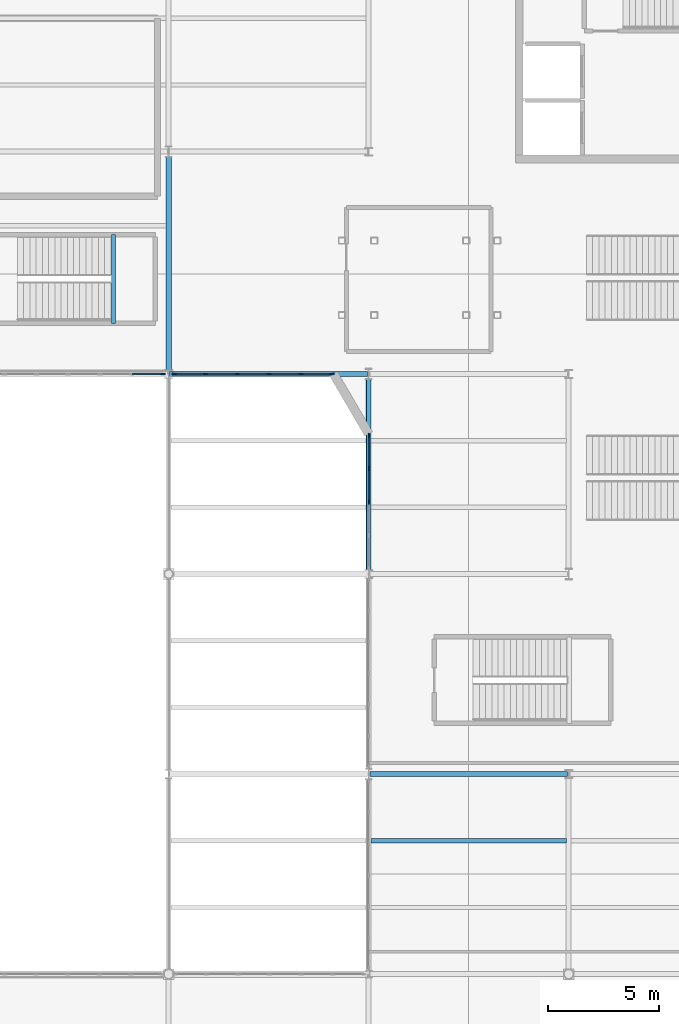
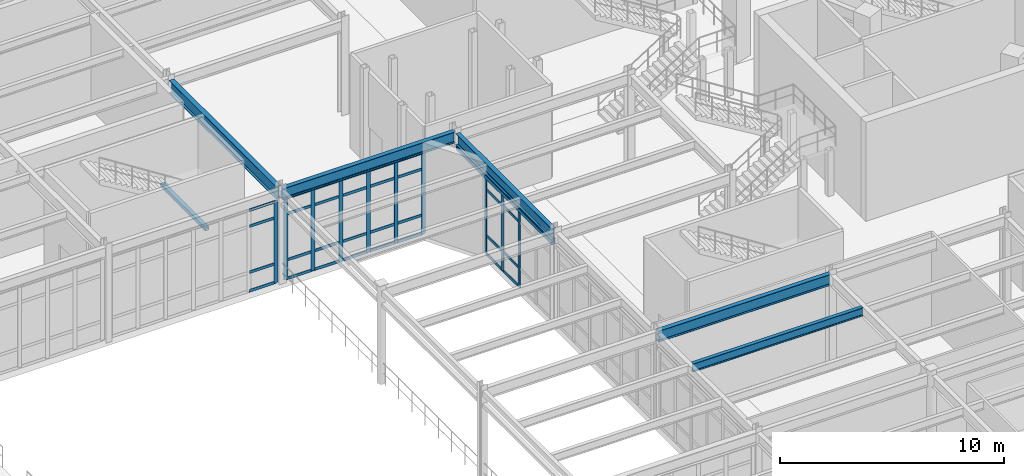
# One storey, part 30 of 79: 42 members, 7 beams, 3 elements without a shape of their own.
"""IFC4 building model written with IfcOpenShell, lengths in metres."""

from ifc_helpers import new_model, si_unit, direction, frame, origin, origin_2d, place, context, subcontext, project, spatial, rectangle, hollow_rectangle, i_section, extrude, material, material_profile, profile_set, type_object, element, aggregate, save


model = new_model("IFC4")

# Units and contexts
model_context = context("Model", 3, precision=1e-05, world=origin(), true_north=direction((0.0, 1.0)))
body_context = subcontext(model_context, "Body", "Model", "MODEL_VIEW")
ifc_project = project(units=[si_unit("LENGTHUNIT", "METRE"), si_unit("AREAUNIT", "SQUARE_METRE"), si_unit("VOLUMEUNIT", "CUBIC_METRE"), si_unit("PLANEANGLEUNIT", "RADIAN"), si_unit("MASSUNIT", "GRAM", prefix="KILO")], contexts=[model_context])

# Site, building, storey
site_placement = place(None, origin())
site = spatial("IfcSite", under=ifc_project, at=site_placement, CompositionType="ELEMENT")
building_placement = place(site_placement, origin())
building = spatial("IfcBuilding", under=site, at=building_placement, Name="Glasvene Arena", CompositionType="ELEMENT")
storey_placement = place(building_placement, origin())
storey = spatial("IfcBuildingStorey", under=building, at=storey_placement, Name="L00", CompositionType="ELEMENT", Elevation=0.0)

# Beams
ifc_material_1 = material(Name="Steel S355J2", Category="steel")
ifc_material_profile_1 = material_profile(ifc_material_1, i_section(OverallWidth=0.228271484375, OverallDepth=0.607666015625, WebThickness=0.010986328125, FlangeThickness=0.017333984375, FilletRadius=0.0126953125, at=origin_2d()), Name="UKB 610x229x113")
ifc_profile_set_1 = profile_set([ifc_material_profile_1], Name="Steel S355J2")
beam_type_1 = type_object("IfcBeamType", Name="BM-GIRD-610", PredefinedType="BEAM", material=ifc_profile_set_1)
for number, where, z_axis, x_axis, name in (
    (1, (27.050048828125, 36.0, 4.816162109375), (1.0, 0.0, 0.0), (0.0, 1.0, 0.0), "Primary X girder L00-0303"),
    (2, (18.050048828125, 54.0, 4.816162109375), (1.0, 0.0, 0.0), (0.0, 1.0, 0.0), "Primary X girder L00-0309"),
):
    element("IfcBeam", number, at=place(storey_placement, frame(where, z_axis=z_axis, x_axis=x_axis)), inside=storey, type_object=beam_type_1, Name=name, PredefinedType="BEAM", context=body_context, shape_type="SweptSolid", body=[
        extrude(i_section(OverallWidth=0.228271484375, OverallDepth=0.607666015625, WebThickness=0.010986328125, FlangeThickness=0.017333984375, FilletRadius=0.0126953125, at=origin_2d()), origin(), (0.0, 0.0, 1.0), 8.89990234375),
    ])
beam_1_placement = place(storey_placement, frame((27.0, 45.17919921875, 4.816162109375), z_axis=(0.0, 1.0, 0.0), x_axis=(-1.0, 0.0, 0.0)))
element("IfcBeam", 3, at=beam_1_placement, inside=storey, type_object=beam_type_1, Name="Primary Y girder L00-0380", PredefinedType="BEAM", context=body_context, shape_type="SweptSolid", body=[
    extrude(i_section(OverallWidth=0.228271484375, OverallDepth=0.607666015625, WebThickness=0.010986328125, FlangeThickness=0.017333984375, FilletRadius=0.0126953125, at=origin_2d()), origin(), (0.0, 0.0, 1.0), 8.57568359375),
])
ifc_material_profile_2 = material_profile(ifc_material_1, i_section(OverallWidth=0.253662109375, OverallDepth=0.68359375, WebThickness=0.012451171875, FlangeThickness=0.01904296875, FilletRadius=0.01513671875, at=origin_2d()), Name="UKB 686x254x140")
ifc_profile_set_2 = profile_set([ifc_material_profile_2], Name="Steel S355J2")
beam_type_2 = type_object("IfcBeamType", Name="BM-GIRD-686", PredefinedType="BEAM", material=ifc_profile_set_2)
beam_2_placement = place(storey_placement, frame((18.0, 54.17919921875, 4.7783203125), z_axis=(0.0, 1.0, 0.0), x_axis=(-1.0, 0.0, 0.0)))
element("IfcBeam", 4, at=beam_2_placement, inside=storey, type_object=beam_type_2, Name="Primary Y girder L00-0373", PredefinedType="BEAM", context=body_context, shape_type="SweptSolid", body=[
    extrude(i_section(OverallWidth=0.253662109375, OverallDepth=0.68359375, WebThickness=0.012451171875, FlangeThickness=0.01904296875, FilletRadius=0.01513671875, at=origin_2d()), origin(), (0.0, 0.0, 1.0), 9.57568359375),
])
ifc_material_profile_3 = material_profile(ifc_material_1, i_section(OverallWidth=0.1904296875, OverallDepth=0.45703125, WebThickness=0.009033203125, FlangeThickness=0.014404296875, FilletRadius=0.01025390625, at=origin_2d()), Name="UKB 457x191x74")
ifc_profile_set_3 = profile_set([ifc_material_profile_3], Name="Steel S355J2")
beam_type_3 = type_object("IfcBeamType", Name="BM-JOIST-457", PredefinedType="JOIST", material=ifc_profile_set_3)
beam_3_placement = place(storey_placement, frame((27.110107421875, 33.0, 4.8916015625), z_axis=(1.0, 0.0, 0.0), x_axis=(0.0, 1.0, 0.0)))
element("IfcBeam", 5, at=beam_3_placement, inside=storey, type_object=beam_type_3, Name="Composite floor joist L00-0463", PredefinedType="JOIST", context=body_context, shape_type="SweptSolid", body=[
    extrude(i_section(OverallWidth=0.1904296875, OverallDepth=0.45703125, WebThickness=0.009033203125, FlangeThickness=0.014404296875, FilletRadius=0.01025390625, at=origin_2d()), origin(), (0.0, 0.0, 1.0), 8.77978515625),
])
ifc_material_profile_4 = material_profile(ifc_material_1, hollow_rectangle(XDim=0.199951171875, YDim=0.199951171875, WallThickness=0.010009765625, at=origin_2d()), Name="SHS 200x200x10.0")
ifc_profile_set_4 = profile_set([ifc_material_profile_4], Name="Steel S355J2")
beam_type_4 = type_object("IfcBeamType", Name="BM-LINTEL-200", PredefinedType="LINTEL", material=ifc_profile_set_4)
beam_4_placement = place(storey_placement, frame((27.0, 45.18017578125, 4.340087890625), z_axis=(0.0, 1.0, 0.0), x_axis=(-1.0, 0.0, 0.0)))
element("IfcBeam", 6, at=beam_4_placement, inside=storey, type_object=beam_type_4, Name="Passage portal lintel L00-3-5", PredefinedType="LINTEL", context=body_context, shape_type="SweptSolid", body=[
    extrude(hollow_rectangle(XDim=0.199951171875, YDim=0.199951171875, WallThickness=0.010009765625, at=origin_2d()), origin(), (0.0, 0.0, 1.0), 8.57373046875),
])
beam_5_placement = place(storey_placement, frame((15.52001953125, 56.280029296875, 2.3798828125), z_axis=(0.0, 1.0, 0.0), x_axis=(-1.0, 0.0, 0.0)))
element("IfcBeam", 7, at=beam_5_placement, inside=storey, type_object=beam_type_4, Name="Stair half-landing support beam ST-13-L00", PredefinedType="LINTEL", context=body_context, shape_type="SweptSolid", body=[
    extrude(hollow_rectangle(XDim=0.199951171875, YDim=0.199951171875, WallThickness=0.010009765625, at=origin_2d()), origin(), (0.0, 0.0, 1.0), 3.989990234375),
])

# Curtain wall, members
ifc_material_2 = material(Name="Low-emissivity laminated double glazing", Category="glass")
curtain_wall_type_1 = type_object("IfcCurtainWallType", Name="CW-FAC-L00-715x445", PredefinedType="USERDEFINED", material=ifc_material_2)
curtain_wall_1_placement = place(storey_placement, frame((25.379638671875, 54.0, 0.0)))
curtain_wall_1 = element("IfcCurtainWall", 8, at=curtain_wall_1_placement, inside=storey, type_object=curtain_wall_type_1, Name="Unitised curtain wall CW-F-L00-180-218-540-1", ObjectType="CURTAIN WALL", PredefinedType="USERDEFINED")
ifc_material_3 = material(Name="Anodised architectural aluminium", Category="aluminium")
ifc_material_profile_5 = material_profile(ifc_material_3, rectangle(XDim=0.050048828125, YDim=0.199951171875, at=origin_2d()), Name="ALU MULLION 50x200")
ifc_profile_set_5 = profile_set([ifc_material_profile_5], Name="Anodised architectural aluminium")
member_type_1 = type_object("IfcMemberType", Name="CW-MUL-180", PredefinedType="MULLION", material=ifc_profile_set_5)
member_1_placement = place(storey_placement, frame((25.3544921875, 54.0, 0.06005859375), z_axis=(0.0, 0.0, 1.0), x_axis=(0.0, -1.0, 0.0)))
member_1 = element("IfcMember", 9, at=member_1_placement, type_object=member_type_1, Name="CW-001 mullion 1", PredefinedType="MULLION", context=body_context, shape_type="SweptSolid", body=[
    extrude(rectangle(XDim=0.050048828125, YDim=0.199951171875, at=origin_2d()), origin(), (0.0, 0.0, 1.0), 4.447021484375),
])
member_2_placement = place(storey_placement, frame((23.94921875, 54.0, 0.06005859375), z_axis=(0.0, 0.0, 1.0), x_axis=(0.0, -1.0, 0.0)))
member_2 = element("IfcMember", 10, at=member_2_placement, type_object=member_type_1, Name="CW-001 mullion 2", PredefinedType="MULLION", context=body_context, shape_type="SweptSolid", body=[
    extrude(rectangle(XDim=0.050048828125, YDim=0.199951171875, at=origin_2d()), origin(), (0.0, 0.0, 1.0), 4.447021484375),
])
member_3_placement = place(storey_placement, frame((22.51904296875, 54.0, 0.06005859375), z_axis=(0.0, 0.0, 1.0), x_axis=(0.0, -1.0, 0.0)))
member_3 = element("IfcMember", 11, at=member_3_placement, type_object=member_type_1, Name="CW-001 mullion 3", PredefinedType="MULLION", context=body_context, shape_type="SweptSolid", body=[
    extrude(rectangle(XDim=0.050048828125, YDim=0.199951171875, at=origin_2d()), origin(), (0.0, 0.0, 1.0), 4.447021484375),
])
member_4_placement = place(storey_placement, frame((21.0888671875, 54.0, 0.06005859375), z_axis=(0.0, 0.0, 1.0), x_axis=(0.0, -1.0, 0.0)))
member_4 = element("IfcMember", 12, at=member_4_placement, type_object=member_type_1, Name="CW-001 mullion 4", PredefinedType="MULLION", context=body_context, shape_type="SweptSolid", body=[
    extrude(rectangle(XDim=0.050048828125, YDim=0.199951171875, at=origin_2d()), origin(), (0.0, 0.0, 1.0), 4.447021484375),
])
member_5_placement = place(storey_placement, frame((19.658447265625, 54.0, 0.06005859375), z_axis=(0.0, 0.0, 1.0), x_axis=(0.0, -1.0, 0.0)))
member_5 = element("IfcMember", 13, at=member_5_placement, type_object=member_type_1, Name="CW-001 mullion 5", PredefinedType="MULLION", context=body_context, shape_type="SweptSolid", body=[
    extrude(rectangle(XDim=0.050048828125, YDim=0.199951171875, at=origin_2d()), origin(), (0.0, 0.0, 1.0), 4.447021484375),
])
member_6_placement = place(storey_placement, frame((18.25341796875, 54.0, 0.06005859375), z_axis=(0.0, 0.0, 1.0), x_axis=(0.0, -1.0, 0.0)))
member_6 = element("IfcMember", 14, at=member_6_placement, type_object=member_type_1, Name="CW-001 mullion 6", PredefinedType="MULLION", context=body_context, shape_type="SweptSolid", body=[
    extrude(rectangle(XDim=0.050048828125, YDim=0.199951171875, at=origin_2d()), origin(), (0.0, 0.0, 1.0), 4.447021484375),
])

# Curtain wall, member
curtain_wall_type_2 = type_object("IfcCurtainWallType", Name="CW-FAC-L00-858x445", PredefinedType="USERDEFINED", material=ifc_material_2)
curtain_wall_2_placement = place(storey_placement, frame((17.771728515625, 54.0, 0.0)))
curtain_wall_2 = element("IfcCurtainWall", 15, at=curtain_wall_2_placement, inside=storey, type_object=curtain_wall_type_2, Name="Unitised curtain wall CW-F-L00-180-135-540-2", ObjectType="CURTAIN WALL", PredefinedType="USERDEFINED")
member_7_placement = place(storey_placement, frame((17.74658203125, 54.0, 0.06005859375), z_axis=(0.0, 0.0, 1.0), x_axis=(0.0, -1.0, 0.0)))
member_7 = element("IfcMember", 16, at=member_7_placement, type_object=member_type_1, Name="CW-002 mullion 1", PredefinedType="MULLION", context=body_context, shape_type="SweptSolid", body=[
    extrude(rectangle(XDim=0.050048828125, YDim=0.199951171875, at=origin_2d()), origin(), (0.0, 0.0, 1.0), 4.447021484375),
])

# Curtain wall, members
curtain_wall_type_3 = type_object("IfcCurtainWallType", Name="CW-FAC-L00-603x445", PredefinedType="USERDEFINED", material=ifc_material_2)
curtain_wall_3_placement = place(storey_placement, frame((27.0, 45.22607421875, 0.0)))
curtain_wall_3 = element("IfcCurtainWall", 17, at=curtain_wall_3_placement, inside=storey, type_object=curtain_wall_type_3, Name="Unitised curtain wall CW-F-L00-180-270-482-83", ObjectType="CURTAIN WALL", PredefinedType="USERDEFINED")
member_8_placement = place(storey_placement, frame((27.0, 48.242919921875, 0.06005859375), z_axis=(0.0, 0.0, 1.0), x_axis=(-1.0, 0.0, 0.0)))
member_8 = element("IfcMember", 18, at=member_8_placement, type_object=member_type_1, Name="CW-006 mullion 3", PredefinedType="MULLION", context=body_context, shape_type="SweptSolid", body=[
    extrude(rectangle(XDim=0.050048828125, YDim=0.199951171875, at=origin_2d()), origin(), (0.0, 0.0, 1.0), 4.447021484375),
])
member_9_placement = place(storey_placement, frame((27.0, 49.751220703125, 0.06005859375), z_axis=(0.0, 0.0, 1.0), x_axis=(-1.0, 0.0, 0.0)))
member_9 = element("IfcMember", 19, at=member_9_placement, type_object=member_type_1, Name="CW-006 mullion 4", PredefinedType="MULLION", context=body_context, shape_type="SweptSolid", body=[
    extrude(rectangle(XDim=0.050048828125, YDim=0.199951171875, at=origin_2d()), origin(), (0.0, 0.0, 1.0), 4.447021484375),
])
member_10_placement = place(storey_placement, frame((27.0, 51.234619140625, 0.06005859375), z_axis=(0.0, 0.0, 1.0), x_axis=(-1.0, 0.0, 0.0)))
member_10 = element("IfcMember", 20, at=member_10_placement, type_object=member_type_1, Name="CW-006 mullion 5", PredefinedType="MULLION", context=body_context, shape_type="SweptSolid", body=[
    extrude(rectangle(XDim=0.050048828125, YDim=0.199951171875, at=origin_2d()), origin(), (0.0, 0.0, 1.0), 4.447021484375),
])

# Member
ifc_material_profile_6 = material_profile(ifc_material_3, rectangle(XDim=0.050048828125, YDim=0.14990234375, at=origin_2d()), Name="ALU TRANSOM 50x150")
ifc_profile_set_6 = profile_set([ifc_material_profile_6], Name="Anodised architectural aluminium")
member_type_2 = type_object("IfcMemberType", Name="CW-TRN-150", PredefinedType="USERDEFINED", material=ifc_profile_set_6)
member_11_placement = place(storey_placement, frame((25.32958984375, 54.0, 0.0849609375), z_axis=(-1.0, 0.0, 0.0), x_axis=(0.0, -1.0, 0.0)))
member_11 = element("IfcMember", 21, at=member_11_placement, type_object=member_type_2, Name="CW-001 transom 1.1", ObjectType="TRANSOM", PredefinedType="USERDEFINED", context=body_context, shape_type="SweptSolid", body=[
    extrude(rectangle(XDim=0.050048828125, YDim=0.14990234375, at=origin_2d()), origin(), (0.0, 0.0, 1.0), 1.355224609375),
])

member_12_placement = place(storey_placement, frame((25.32958984375, 54.0, 1.10009765625), z_axis=(-1.0, 0.0, 0.0), x_axis=(0.0, -1.0, 0.0)))
member_12 = element("IfcMember", 22, at=member_12_placement, type_object=member_type_2, Name="CW-001 transom 1.2", ObjectType="TRANSOM", PredefinedType="USERDEFINED", context=body_context, shape_type="SweptSolid", body=[
    extrude(rectangle(XDim=0.050048828125, YDim=0.14990234375, at=origin_2d()), origin(), (0.0, 0.0, 1.0), 1.355224609375),
])

member_13_placement = place(storey_placement, frame((25.32958984375, 54.0, 3.60693359375), z_axis=(-1.0, 0.0, 0.0), x_axis=(0.0, -1.0, 0.0)))
member_13 = element("IfcMember", 23, at=member_13_placement, type_object=member_type_2, Name="CW-001 transom 1.3", ObjectType="TRANSOM", PredefinedType="USERDEFINED", context=body_context, shape_type="SweptSolid", body=[
    extrude(rectangle(XDim=0.050048828125, YDim=0.14990234375, at=origin_2d()), origin(), (0.0, 0.0, 1.0), 1.355224609375),
])

member_14_placement = place(storey_placement, frame((25.32958984375, 54.0, 4.48193359375), z_axis=(-1.0, 0.0, 0.0), x_axis=(0.0, -1.0, 0.0)))
member_14 = element("IfcMember", 24, at=member_14_placement, type_object=member_type_2, Name="CW-001 transom 1.4", ObjectType="TRANSOM", PredefinedType="USERDEFINED", context=body_context, shape_type="SweptSolid", body=[
    extrude(rectangle(XDim=0.050048828125, YDim=0.14990234375, at=origin_2d()), origin(), (0.0, 0.0, 1.0), 1.355224609375),
])

member_15_placement = place(storey_placement, frame((23.92431640625, 54.0, 0.0849609375), z_axis=(-1.0, 0.0, 0.0), x_axis=(0.0, -1.0, 0.0)))
member_15 = element("IfcMember", 25, at=member_15_placement, type_object=member_type_2, Name="CW-001 transom 2.1", ObjectType="TRANSOM", PredefinedType="USERDEFINED", context=body_context, shape_type="SweptSolid", body=[
    extrude(rectangle(XDim=0.050048828125, YDim=0.14990234375, at=origin_2d()), origin(), (0.0, 0.0, 1.0), 1.380126953125),
])

member_16_placement = place(storey_placement, frame((23.92431640625, 54.0, 1.10009765625), z_axis=(-1.0, 0.0, 0.0), x_axis=(0.0, -1.0, 0.0)))
member_16 = element("IfcMember", 26, at=member_16_placement, type_object=member_type_2, Name="CW-001 transom 2.2", ObjectType="TRANSOM", PredefinedType="USERDEFINED", context=body_context, shape_type="SweptSolid", body=[
    extrude(rectangle(XDim=0.050048828125, YDim=0.14990234375, at=origin_2d()), origin(), (0.0, 0.0, 1.0), 1.380126953125),
])

member_17_placement = place(storey_placement, frame((23.92431640625, 54.0, 3.60693359375), z_axis=(-1.0, 0.0, 0.0), x_axis=(0.0, -1.0, 0.0)))
member_17 = element("IfcMember", 27, at=member_17_placement, type_object=member_type_2, Name="CW-001 transom 2.3", ObjectType="TRANSOM", PredefinedType="USERDEFINED", context=body_context, shape_type="SweptSolid", body=[
    extrude(rectangle(XDim=0.050048828125, YDim=0.14990234375, at=origin_2d()), origin(), (0.0, 0.0, 1.0), 1.380126953125),
])

member_18_placement = place(storey_placement, frame((23.92431640625, 54.0, 4.48193359375), z_axis=(-1.0, 0.0, 0.0), x_axis=(0.0, -1.0, 0.0)))
member_18 = element("IfcMember", 28, at=member_18_placement, type_object=member_type_2, Name="CW-001 transom 2.4", ObjectType="TRANSOM", PredefinedType="USERDEFINED", context=body_context, shape_type="SweptSolid", body=[
    extrude(rectangle(XDim=0.050048828125, YDim=0.14990234375, at=origin_2d()), origin(), (0.0, 0.0, 1.0), 1.380126953125),
])

member_19_placement = place(storey_placement, frame((22.494140625, 54.0, 0.0849609375), z_axis=(-1.0, 0.0, 0.0), x_axis=(0.0, -1.0, 0.0)))
member_19 = element("IfcMember", 29, at=member_19_placement, type_object=member_type_2, Name="CW-001 transom 3.1", ObjectType="TRANSOM", PredefinedType="USERDEFINED", context=body_context, shape_type="SweptSolid", body=[
    extrude(rectangle(XDim=0.050048828125, YDim=0.14990234375, at=origin_2d()), origin(), (0.0, 0.0, 1.0), 1.38037109375),
])

member_20_placement = place(storey_placement, frame((22.494140625, 54.0, 1.10009765625), z_axis=(-1.0, 0.0, 0.0), x_axis=(0.0, -1.0, 0.0)))
member_20 = element("IfcMember", 30, at=member_20_placement, type_object=member_type_2, Name="CW-001 transom 3.2", ObjectType="TRANSOM", PredefinedType="USERDEFINED", context=body_context, shape_type="SweptSolid", body=[
    extrude(rectangle(XDim=0.050048828125, YDim=0.14990234375, at=origin_2d()), origin(), (0.0, 0.0, 1.0), 1.38037109375),
])

member_21_placement = place(storey_placement, frame((22.494140625, 54.0, 3.60693359375), z_axis=(-1.0, 0.0, 0.0), x_axis=(0.0, -1.0, 0.0)))
member_21 = element("IfcMember", 31, at=member_21_placement, type_object=member_type_2, Name="CW-001 transom 3.3", ObjectType="TRANSOM", PredefinedType="USERDEFINED", context=body_context, shape_type="SweptSolid", body=[
    extrude(rectangle(XDim=0.050048828125, YDim=0.14990234375, at=origin_2d()), origin(), (0.0, 0.0, 1.0), 1.38037109375),
])

member_22_placement = place(storey_placement, frame((22.494140625, 54.0, 4.48193359375), z_axis=(-1.0, 0.0, 0.0), x_axis=(0.0, -1.0, 0.0)))
member_22 = element("IfcMember", 32, at=member_22_placement, type_object=member_type_2, Name="CW-001 transom 3.4", ObjectType="TRANSOM", PredefinedType="USERDEFINED", context=body_context, shape_type="SweptSolid", body=[
    extrude(rectangle(XDim=0.050048828125, YDim=0.14990234375, at=origin_2d()), origin(), (0.0, 0.0, 1.0), 1.38037109375),
])

member_23_placement = place(storey_placement, frame((21.063720703125, 54.0, 0.0849609375), z_axis=(-1.0, 0.0, 0.0), x_axis=(0.0, -1.0, 0.0)))
member_23 = element("IfcMember", 33, at=member_23_placement, type_object=member_type_2, Name="CW-001 transom 4.1", ObjectType="TRANSOM", PredefinedType="USERDEFINED", context=body_context, shape_type="SweptSolid", body=[
    extrude(rectangle(XDim=0.050048828125, YDim=0.14990234375, at=origin_2d()), origin(), (0.0, 0.0, 1.0), 1.380126953125),
])

member_24_placement = place(storey_placement, frame((21.063720703125, 54.0, 1.10009765625), z_axis=(-1.0, 0.0, 0.0), x_axis=(0.0, -1.0, 0.0)))
member_24 = element("IfcMember", 34, at=member_24_placement, type_object=member_type_2, Name="CW-001 transom 4.2", ObjectType="TRANSOM", PredefinedType="USERDEFINED", context=body_context, shape_type="SweptSolid", body=[
    extrude(rectangle(XDim=0.050048828125, YDim=0.14990234375, at=origin_2d()), origin(), (0.0, 0.0, 1.0), 1.380126953125),
])

member_25_placement = place(storey_placement, frame((21.063720703125, 54.0, 3.60693359375), z_axis=(-1.0, 0.0, 0.0), x_axis=(0.0, -1.0, 0.0)))
member_25 = element("IfcMember", 35, at=member_25_placement, type_object=member_type_2, Name="CW-001 transom 4.3", ObjectType="TRANSOM", PredefinedType="USERDEFINED", context=body_context, shape_type="SweptSolid", body=[
    extrude(rectangle(XDim=0.050048828125, YDim=0.14990234375, at=origin_2d()), origin(), (0.0, 0.0, 1.0), 1.380126953125),
])

member_26_placement = place(storey_placement, frame((21.063720703125, 54.0, 4.48193359375), z_axis=(-1.0, 0.0, 0.0), x_axis=(0.0, -1.0, 0.0)))
member_26 = element("IfcMember", 36, at=member_26_placement, type_object=member_type_2, Name="CW-001 transom 4.4", ObjectType="TRANSOM", PredefinedType="USERDEFINED", context=body_context, shape_type="SweptSolid", body=[
    extrude(rectangle(XDim=0.050048828125, YDim=0.14990234375, at=origin_2d()), origin(), (0.0, 0.0, 1.0), 1.380126953125),
])

member_27_placement = place(storey_placement, frame((19.633544921875, 54.0, 0.0849609375), z_axis=(-1.0, 0.0, 0.0), x_axis=(0.0, -1.0, 0.0)))
member_27 = element("IfcMember", 37, at=member_27_placement, type_object=member_type_2, Name="CW-001 transom 5.1", ObjectType="TRANSOM", PredefinedType="USERDEFINED", context=body_context, shape_type="SweptSolid", body=[
    extrude(rectangle(XDim=0.050048828125, YDim=0.14990234375, at=origin_2d()), origin(), (0.0, 0.0, 1.0), 1.355224609375),
])

member_28_placement = place(storey_placement, frame((19.633544921875, 54.0, 1.10009765625), z_axis=(-1.0, 0.0, 0.0), x_axis=(0.0, -1.0, 0.0)))
member_28 = element("IfcMember", 38, at=member_28_placement, type_object=member_type_2, Name="CW-001 transom 5.2", ObjectType="TRANSOM", PredefinedType="USERDEFINED", context=body_context, shape_type="SweptSolid", body=[
    extrude(rectangle(XDim=0.050048828125, YDim=0.14990234375, at=origin_2d()), origin(), (0.0, 0.0, 1.0), 1.355224609375),
])

member_29_placement = place(storey_placement, frame((19.633544921875, 54.0, 3.60693359375), z_axis=(-1.0, 0.0, 0.0), x_axis=(0.0, -1.0, 0.0)))
member_29 = element("IfcMember", 39, at=member_29_placement, type_object=member_type_2, Name="CW-001 transom 5.3", ObjectType="TRANSOM", PredefinedType="USERDEFINED", context=body_context, shape_type="SweptSolid", body=[
    extrude(rectangle(XDim=0.050048828125, YDim=0.14990234375, at=origin_2d()), origin(), (0.0, 0.0, 1.0), 1.355224609375),
])

member_30_placement = place(storey_placement, frame((19.633544921875, 54.0, 4.48193359375), z_axis=(-1.0, 0.0, 0.0), x_axis=(0.0, -1.0, 0.0)))
member_30 = element("IfcMember", 40, at=member_30_placement, type_object=member_type_2, Name="CW-001 transom 5.4", ObjectType="TRANSOM", PredefinedType="USERDEFINED", context=body_context, shape_type="SweptSolid", body=[
    extrude(rectangle(XDim=0.050048828125, YDim=0.14990234375, at=origin_2d()), origin(), (0.0, 0.0, 1.0), 1.355224609375),
])

aggregate(curtain_wall_1, [member_1, member_2, member_3, member_4, member_5, member_6, member_11, member_12, member_13, member_14, member_15, member_16, member_17, member_18, member_19, member_20, member_21, member_22, member_23, member_24, member_25, member_26, member_27, member_28, member_29, member_30])

member_31_placement = place(storey_placement, frame((17.7216796875, 54.0, 0.0849609375), z_axis=(-1.0, 0.0, 0.0), x_axis=(0.0, -1.0, 0.0)))
member_31 = element("IfcMember", 41, at=member_31_placement, type_object=member_type_2, Name="CW-002 transom 1.1", ObjectType="TRANSOM", PredefinedType="USERDEFINED", context=body_context, shape_type="SweptSolid", body=[
    extrude(rectangle(XDim=0.050048828125, YDim=0.14990234375, at=origin_2d()), origin(), (0.0, 0.0, 1.0), 1.35498046875),
])

member_32_placement = place(storey_placement, frame((17.7216796875, 54.0, 1.10009765625), z_axis=(-1.0, 0.0, 0.0), x_axis=(0.0, -1.0, 0.0)))
member_32 = element("IfcMember", 42, at=member_32_placement, type_object=member_type_2, Name="CW-002 transom 1.2", ObjectType="TRANSOM", PredefinedType="USERDEFINED", context=body_context, shape_type="SweptSolid", body=[
    extrude(rectangle(XDim=0.050048828125, YDim=0.14990234375, at=origin_2d()), origin(), (0.0, 0.0, 1.0), 1.35498046875),
])

member_33_placement = place(storey_placement, frame((17.7216796875, 54.0, 3.60693359375), z_axis=(-1.0, 0.0, 0.0), x_axis=(0.0, -1.0, 0.0)))
member_33 = element("IfcMember", 43, at=member_33_placement, type_object=member_type_2, Name="CW-002 transom 1.3", ObjectType="TRANSOM", PredefinedType="USERDEFINED", context=body_context, shape_type="SweptSolid", body=[
    extrude(rectangle(XDim=0.050048828125, YDim=0.14990234375, at=origin_2d()), origin(), (0.0, 0.0, 1.0), 1.35498046875),
])

member_34_placement = place(storey_placement, frame((17.7216796875, 54.0, 4.48193359375), z_axis=(-1.0, 0.0, 0.0), x_axis=(0.0, -1.0, 0.0)))
member_34 = element("IfcMember", 44, at=member_34_placement, type_object=member_type_2, Name="CW-002 transom 1.4", ObjectType="TRANSOM", PredefinedType="USERDEFINED", context=body_context, shape_type="SweptSolid", body=[
    extrude(rectangle(XDim=0.050048828125, YDim=0.14990234375, at=origin_2d()), origin(), (0.0, 0.0, 1.0), 1.35498046875),
])

aggregate(curtain_wall_2, [member_7, member_31, member_32, member_33, member_34])

member_35_placement = place(storey_placement, frame((27.0, 48.267822265625, 0.0849609375), z_axis=(0.0, 1.0, 0.0), x_axis=(-1.0, 0.0, 0.0)))
member_35 = element("IfcMember", 45, at=member_35_placement, type_object=member_type_2, Name="CW-006 transom 3.1", ObjectType="TRANSOM", PredefinedType="USERDEFINED", context=body_context, shape_type="SweptSolid", body=[
    extrude(rectangle(XDim=0.050048828125, YDim=0.14990234375, at=origin_2d()), origin(), (0.0, 0.0, 1.0), 1.45849609375),
])

member_36_placement = place(storey_placement, frame((27.0, 48.267822265625, 1.10009765625), z_axis=(0.0, 1.0, 0.0), x_axis=(-1.0, 0.0, 0.0)))
member_36 = element("IfcMember", 46, at=member_36_placement, type_object=member_type_2, Name="CW-006 transom 3.2", ObjectType="TRANSOM", PredefinedType="USERDEFINED", context=body_context, shape_type="SweptSolid", body=[
    extrude(rectangle(XDim=0.050048828125, YDim=0.14990234375, at=origin_2d()), origin(), (0.0, 0.0, 1.0), 1.45849609375),
])

member_37_placement = place(storey_placement, frame((27.0, 48.267822265625, 3.60693359375), z_axis=(0.0, 1.0, 0.0), x_axis=(-1.0, 0.0, 0.0)))
member_37 = element("IfcMember", 47, at=member_37_placement, type_object=member_type_2, Name="CW-006 transom 3.3", ObjectType="TRANSOM", PredefinedType="USERDEFINED", context=body_context, shape_type="SweptSolid", body=[
    extrude(rectangle(XDim=0.050048828125, YDim=0.14990234375, at=origin_2d()), origin(), (0.0, 0.0, 1.0), 1.45849609375),
])

member_38_placement = place(storey_placement, frame((27.0, 48.267822265625, 4.48193359375), z_axis=(0.0, 1.0, 0.0), x_axis=(-1.0, 0.0, 0.0)))
member_38 = element("IfcMember", 48, at=member_38_placement, type_object=member_type_2, Name="CW-006 transom 3.4", ObjectType="TRANSOM", PredefinedType="USERDEFINED", context=body_context, shape_type="SweptSolid", body=[
    extrude(rectangle(XDim=0.050048828125, YDim=0.14990234375, at=origin_2d()), origin(), (0.0, 0.0, 1.0), 1.45849609375),
])

member_39_placement = place(storey_placement, frame((27.0, 49.7763671875, 0.0849609375), z_axis=(0.0, 1.0, 0.0), x_axis=(-1.0, 0.0, 0.0)))
member_39 = element("IfcMember", 49, at=member_39_placement, type_object=member_type_2, Name="CW-006 transom 4.1", ObjectType="TRANSOM", PredefinedType="USERDEFINED", context=body_context, shape_type="SweptSolid", body=[
    extrude(rectangle(XDim=0.050048828125, YDim=0.14990234375, at=origin_2d()), origin(), (0.0, 0.0, 1.0), 1.433349609375),
])

member_40_placement = place(storey_placement, frame((27.0, 49.7763671875, 1.10009765625), z_axis=(0.0, 1.0, 0.0), x_axis=(-1.0, 0.0, 0.0)))
member_40 = element("IfcMember", 50, at=member_40_placement, type_object=member_type_2, Name="CW-006 transom 4.2", ObjectType="TRANSOM", PredefinedType="USERDEFINED", context=body_context, shape_type="SweptSolid", body=[
    extrude(rectangle(XDim=0.050048828125, YDim=0.14990234375, at=origin_2d()), origin(), (0.0, 0.0, 1.0), 1.433349609375),
])

member_41_placement = place(storey_placement, frame((27.0, 49.7763671875, 3.60693359375), z_axis=(0.0, 1.0, 0.0), x_axis=(-1.0, 0.0, 0.0)))
member_41 = element("IfcMember", 51, at=member_41_placement, type_object=member_type_2, Name="CW-006 transom 4.3", ObjectType="TRANSOM", PredefinedType="USERDEFINED", context=body_context, shape_type="SweptSolid", body=[
    extrude(rectangle(XDim=0.050048828125, YDim=0.14990234375, at=origin_2d()), origin(), (0.0, 0.0, 1.0), 1.433349609375),
])

member_42_placement = place(storey_placement, frame((27.0, 49.7763671875, 4.48193359375), z_axis=(0.0, 1.0, 0.0), x_axis=(-1.0, 0.0, 0.0)))
member_42 = element("IfcMember", 52, at=member_42_placement, type_object=member_type_2, Name="CW-006 transom 4.4", ObjectType="TRANSOM", PredefinedType="USERDEFINED", context=body_context, shape_type="SweptSolid", body=[
    extrude(rectangle(XDim=0.050048828125, YDim=0.14990234375, at=origin_2d()), origin(), (0.0, 0.0, 1.0), 1.433349609375),
])

aggregate(curtain_wall_3, [member_8, member_9, member_10, member_35, member_36, member_37, member_38, member_39, member_40, member_41, member_42])

save(model, "model.ifc")
